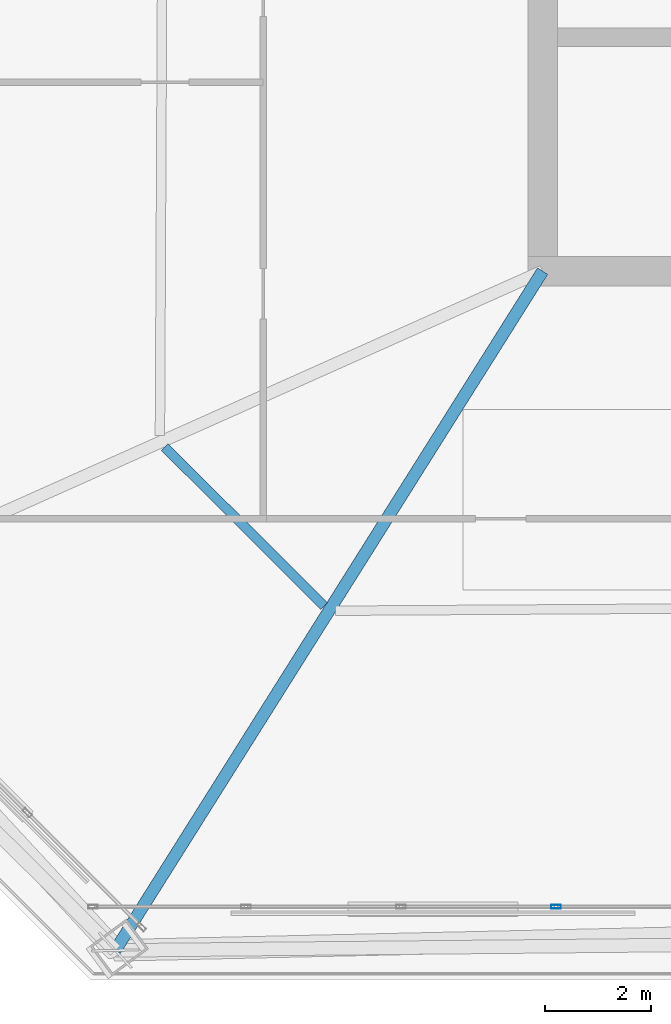
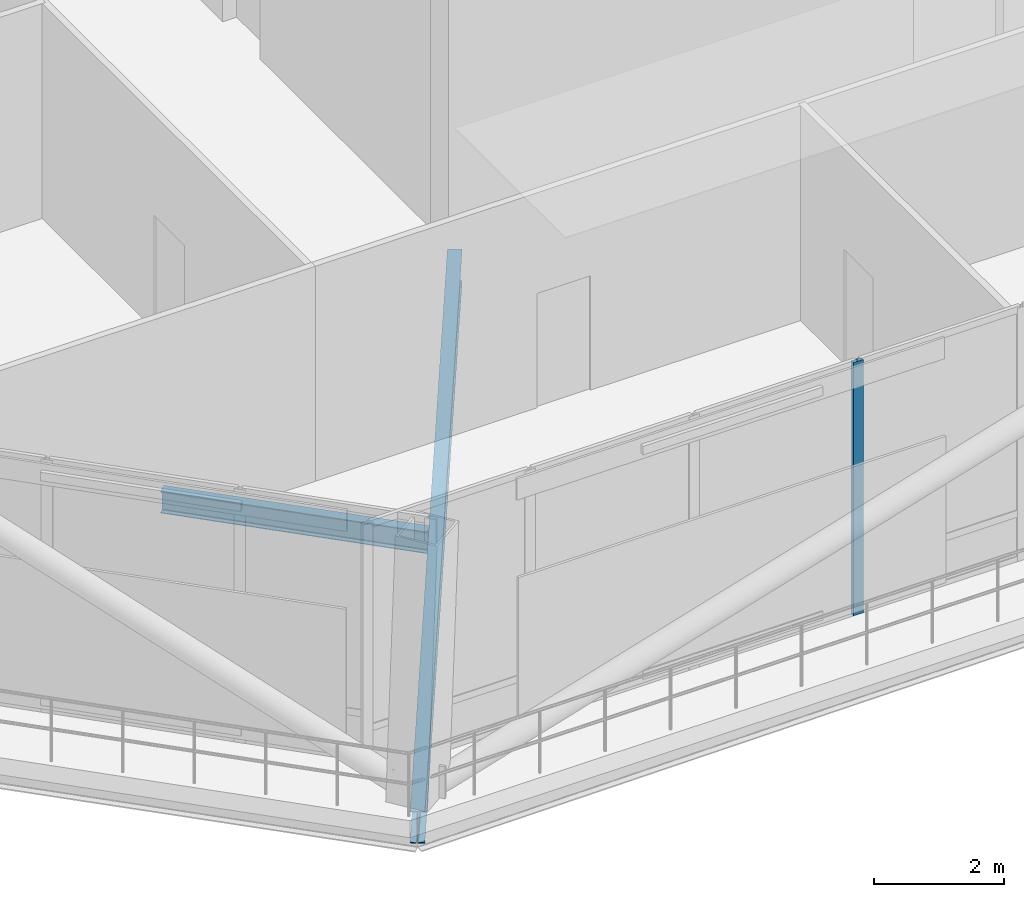
# One storey, part 4 of 34: 2 beams, 1 member, 1 element without a shape of its own.
"""IFC4 building model written with IfcOpenShell, lengths in metres."""

from ifc_helpers import new_model, si_unit, direction, frame, origin, origin_2d, place, context, subcontext, project, spatial, hollow_rectangle, i_section, extrude, material, layer, layer_set, material_profile, profile_set, type_object, element, aggregate, save


model = new_model("IFC4")

# Units and contexts
model_context = context("Model", 3, precision=1e-05, world=origin(), true_north=direction((0.0, 1.0)))
body_context = subcontext(model_context, "Body", "Model", "MODEL_VIEW")
ifc_project = project(units=[si_unit("LENGTHUNIT", "METRE"), si_unit("AREAUNIT", "SQUARE_METRE"), si_unit("VOLUMEUNIT", "CUBIC_METRE"), si_unit("PLANEANGLEUNIT", "RADIAN"), si_unit("MASSUNIT", "GRAM", prefix="KILO")], contexts=[model_context])

# Site, building, storey
site_placement = place(None, origin())
site = spatial("IfcSite", under=ifc_project, at=site_placement, CompositionType="ELEMENT")
building_placement = place(site_placement, origin())
building = spatial("IfcBuilding", under=site, at=building_placement, Name="Caelvoria Tower", CompositionType="ELEMENT")
storey_placement = place(building_placement, frame((0.0, 0.0, 172.0)))
storey = spatial("IfcBuildingStorey", under=building, at=storey_placement, Name="L45", CompositionType="ELEMENT", Elevation=172.0)

# Curtain wall, member
ifc_material_1 = material(Name="Anodised Bronze Aluminium and Low-E Glass", Category="aluminium")
ifc_layer = layer(ifc_material_1, 0.2099609375, Name="Anodised Bronze Aluminium and Low-E Glass")
ifc_layer_set = layer_set([ifc_layer], Name="CW System 3 Sky Lobby Double-Height Acoustic Facade - Anodised Bronze Aluminium and Low-E Glass")
curtain_wall_type = type_object("IfcCurtainWallType", Name="CW System 3 Sky Lobby Double-Height Acoustic Facade", PredefinedType="NOTDEFINED", material=ifc_layer_set)
curtain_wall_placement = place(storey_placement, origin())
curtain_wall = element("IfcCurtainWall", 1, at=curtain_wall_placement, inside=storey, type_object=curtain_wall_type, Name="CW-03 Curtain Wall L45-E0", PredefinedType="NOTDEFINED")
ifc_material_2 = material(Name="Anodised Bronze Architectural Aluminium", Category="aluminium")
ifc_material_profile_1 = material_profile(ifc_material_2, hollow_rectangle(XDim=0.070068359375, YDim=0.179931640625, WallThickness=0.00390625, at=origin_2d()), Name="Anodised Bronze Architectural Aluminium")
ifc_profile_set_1 = profile_set([ifc_material_profile_1], Name="CW_MULL_70X180 - Anodised Bronze Architectural Aluminium")
member_type = type_object("IfcMemberType", Name="Curtain Wall Mullion 70x180 Bronze Aluminium", PredefinedType="MULLION", material=ifc_profile_set_1)
member_placement = place(storey_placement, frame((37.25, 12.0400390625, 0.0), z_axis=(0.0, 0.0, 1.0), x_axis=(0.0, 1.0, 0.0)))
member = element("IfcMember", 2, at=member_placement, type_object=member_type, Name="CW-03 mullion 4", PredefinedType="MULLION", context=body_context, shape_type="SweptSolid", body=[
    extrude(hollow_rectangle(XDim=0.070068359375, YDim=0.179931640625, WallThickness=0.00390625, at=origin_2d()), origin(), (0.0, 0.0, 1.0), 4.760009765625),
])
aggregate(curtain_wall, [member])

# Beams
ifc_material_3 = material(Name="Structural Steel ASTM A992 Gr.50", Category="steel")
ifc_material_profile_2 = material_profile(ifc_material_3, i_section(OverallWidth=0.22802734375, OverallDepth=0.60302734375, WebThickness=0.010498046875, FlangeThickness=0.014892578125, FilletRadius=0.01806640625, at=origin_2d()), Name="Structural Steel ASTM A992 Gr.50")
ifc_profile_set_2 = profile_set([ifc_material_profile_2], Name="W610X101 - Structural Steel ASTM A992 Gr.50")
beam_type_1 = type_object("IfcBeamType", Name="Primary Floor Girder W610X101", PredefinedType="BEAM", material=ifc_profile_set_2)
beam_1_placement = place(storey_placement, frame((37.0, 24.0, -0.62158203125), z_axis=(-0.532565439533, -0.84638883063, 0.0), x_axis=(0.84638883063, -0.532565439533, 0.0)))
element("IfcBeam", 3, at=beam_1_placement, inside=storey, type_object=beam_type_1, Name="Primary Floor Girder L45-00", PredefinedType="BEAM", context=body_context, shape_type="SweptSolid", body=[
    extrude(i_section(OverallWidth=0.22802734375, OverallDepth=0.60302734375, WebThickness=0.010498046875, FlangeThickness=0.014892578125, FilletRadius=0.01806640625, at=origin_2d()), origin(), (0.0, 0.0, 1.0), 15.103271484375),
])
ifc_material_profile_3 = material_profile(ifc_material_3, i_section(OverallWidth=0.177978515625, OverallDepth=0.406982421875, WebThickness=0.0078125, FlangeThickness=0.0126953125, FilletRadius=0.013916015625, at=origin_2d()), Name="Structural Steel ASTM A992 Gr.50")
ifc_profile_set_3 = profile_set([ifc_material_profile_3], Name="W410X60 - Structural Steel ASTM A992 Gr.50")
beam_type_2 = type_object("IfcBeamType", Name="Secondary Floor Beam W410X60", PredefinedType="BEAM", material=ifc_profile_set_3)
beam_2_placement = place(storey_placement, frame((29.885009765625, 20.69091796875, -0.5234375), z_axis=(0.70834305441, -0.705868342731, 0.0), x_axis=(0.705868342731, 0.70834305441, 0.0)))
element("IfcBeam", 4, at=beam_2_placement, inside=storey, type_object=beam_type_2, Name="Secondary Floor Beam L45-11", PredefinedType="BEAM", context=body_context, shape_type="SweptSolid", body=[
    extrude(i_section(OverallWidth=0.177978515625, OverallDepth=0.406982421875, WebThickness=0.0078125, FlangeThickness=0.0126953125, FilletRadius=0.013916015625, at=origin_2d()), origin(), (0.0, 0.0, 1.0), 4.2421875),
])

save(model, "model.ifc")
